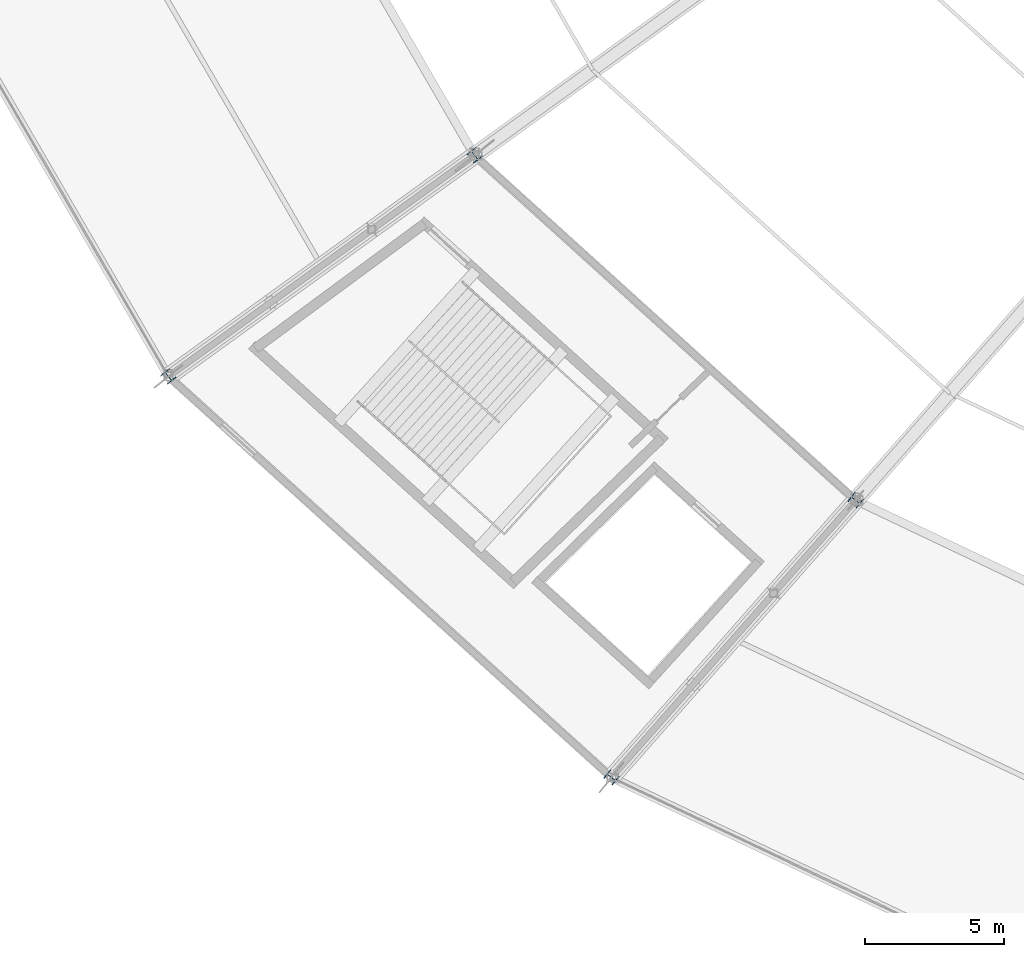
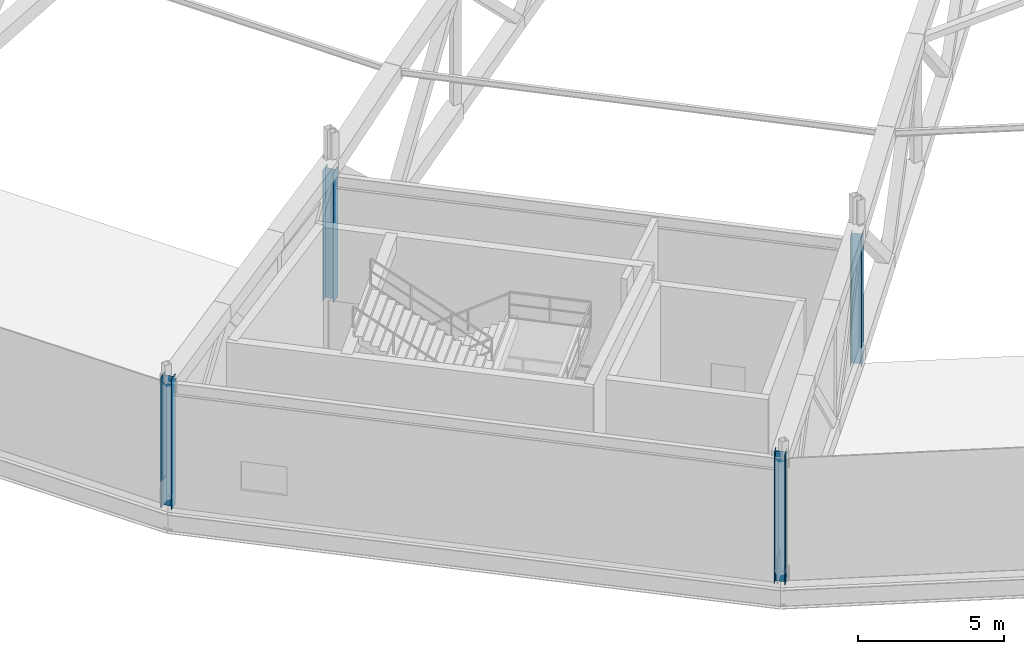
# One storey, part 1 of 162: 4 columns.
"""IFC4 building model written with IfcOpenShell, lengths in metres."""

from ifc_helpers import new_model, si_unit, direction, frame, origin, origin_2d, place, context, subcontext, project, spatial, i_section, extrude, material, material_profile, profile_set, type_object, element, save


model = new_model("IFC4")

# Units and contexts
model_context = context("Model", 3, precision=1e-05, world=origin(), true_north=direction((0.0, 1.0)))
body_context = subcontext(model_context, "Body", "Model", "MODEL_VIEW")
ifc_project = project(units=[si_unit("LENGTHUNIT", "METRE"), si_unit("AREAUNIT", "SQUARE_METRE"), si_unit("VOLUMEUNIT", "CUBIC_METRE"), si_unit("PLANEANGLEUNIT", "RADIAN"), si_unit("MASSUNIT", "GRAM", prefix="KILO")], contexts=[model_context])

# Site, building, storey
site_placement = place(None, origin())
site = spatial("IfcSite", under=ifc_project, at=site_placement, CompositionType="ELEMENT")
building_placement = place(site_placement, origin())
building = spatial("IfcBuilding", under=site, at=building_placement, Name="Kazemori Nagisa Stadium", CompositionType="ELEMENT")
storey_placement = place(building_placement, frame((0.0, 0.0, 36.719970703125)))
storey = spatial("IfcBuildingStorey", under=building, at=storey_placement, Name="RF", CompositionType="ELEMENT", Elevation=36.719970703125)

# Columns
ifc_material = material(Name="Steel SN490B", Category="steel")
ifc_material_profile = material_profile(ifc_material, i_section(OverallWidth=0.39990234375, OverallDepth=0.39990234375, WebThickness=0.012939453125, FlangeThickness=0.02099609375, FilletRadius=0.012939453125, at=origin_2d()), Name="H-400x400x13x21")
ifc_profile_set = profile_set([ifc_material_profile], Name="Steel SN490B")
column_type = type_object("IfcColumnType", Name="Column_C-H400", PredefinedType="COLUMN", material=ifc_profile_set)
for number, where, z_axis, x_axis, name in (
    (1, (55.493896484375, 53.265869140625, 0.0), (0.0, 0.0, 1.0), (-0.781831482473, -0.623489801853, 0.0), "Column C-H400 RF R2-18"),
    (2, (69.165771484375, 40.88916015625, 0.0), (0.0, 0.0, 1.0), (-0.623489801853, -0.781831482473, 0.0), "Column C-H400 RF R2-19"),
    (3, (44.504638671875, 45.332275390625, 0.0), (0.0, 0.0, 1.0), (-0.781831482473, -0.623489801853, 0.0), "Column C-H400 RF R3-18"),
    (4, (60.402099609375, 30.94091796875, 0.0), (0.0, 0.0, 1.0), (-0.623489801853, -0.781831482473, 0.0), "Column C-H400 RF R3-19"),
):
    element("IfcColumn", number, at=place(storey_placement, frame(where, z_axis=z_axis, x_axis=x_axis)), inside=storey, type_object=column_type, Name=name, PredefinedType="COLUMN", context=body_context, shape_type="SweptSolid", body=[
        extrude(i_section(OverallWidth=0.39990234375, OverallDepth=0.39990234375, WebThickness=0.012939453125, FlangeThickness=0.02099609375, FilletRadius=0.012939453125, at=origin_2d()), origin(), (0.0, 0.0, 1.0), 5.43994140625),
    ])

save(model, "model.ifc")
